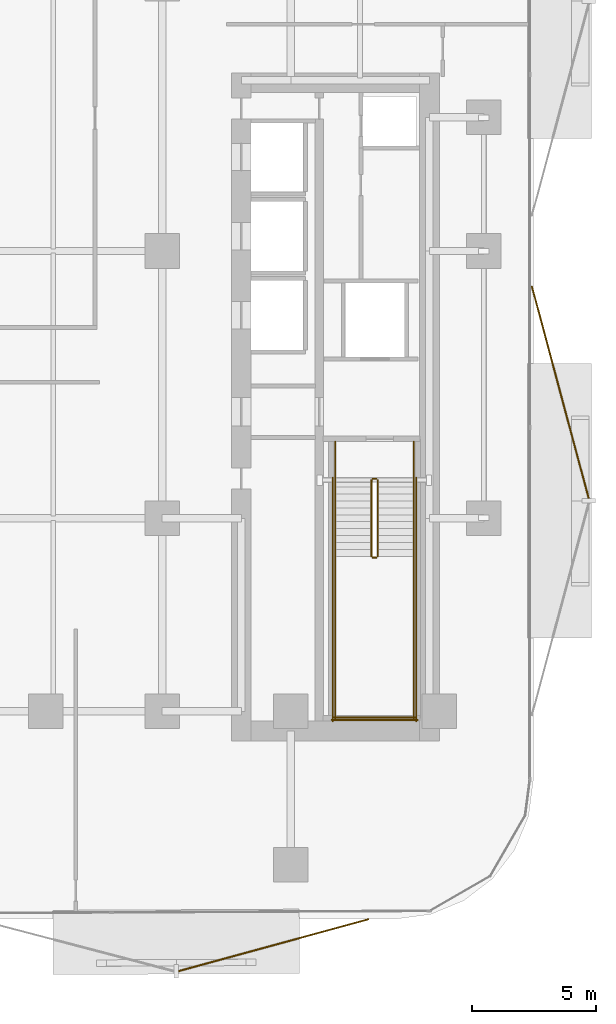
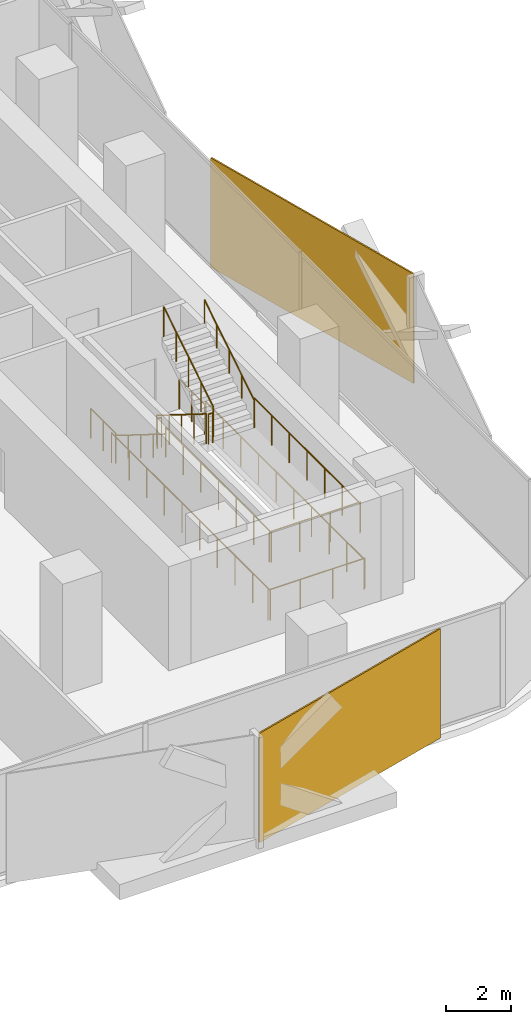
# One storey, part 13 of 15: 14 railings, 2 coverings.
"""IFC4 building model written with IfcOpenShell, lengths in metres."""

import ifcopenshell
import ifcopenshell.guid

model = None  # the IFC model being written
_history = None  # IfcOwnerHistory: only IFC2X3 demands one
_inside = {}  # id of a spatial element -> (the spatial element, [elements in it])
_under = {}  # id of a project, library or spatial element -> (it, [spatial elements below it])
_declared = {}  # id of a project -> (the project, [libraries it declares])
_typed = {}  # id of a type object -> (the type object, [elements of that type])
_made_of = {}  # id of a material, layer set ... -> (it, [elements and type objects made of it])


def new_model(schema):
    """Start an empty IFC model of exactly this schema.

    Asked for "IFC4X3", IfcOpenShell would pick the latest addendum, in which some entities
    have other attributes; the version numbers below select the first issue.
    IFC2X3 requires an IfcOwnerHistory on every rooted entity: one is made here for all.
    """
    global model, _history
    if schema == "IFC4X3":
        model = ifcopenshell.file(schema_version=(4, 3, 0, 0))
    else:
        model = ifcopenshell.file(schema=schema)
    _inside.clear()
    _under.clear()
    _declared.clear()
    _typed.clear()
    _made_of.clear()
    _history = None
    if model.schema == "IFC2X3":
        org = make("IfcOrganization", Name="unknown")
        user = make(
            "IfcPersonAndOrganization",
            ThePerson=make("IfcPerson", FamilyName="unknown"),
            TheOrganization=org,
        )
        app = make(
            "IfcApplication",
            ApplicationDeveloper=org,
            Version="unknown",
            ApplicationFullName="unknown",
            ApplicationIdentifier="unknown",
        )
        _history = make(
            "IfcOwnerHistory",
            OwningUser=user,
            OwningApplication=app,
            ChangeAction="ADDED",
            CreationDate=0,
        )
    return model


def make(cls, **values):
    """One entity of the class cls with the attributes given. An attribute that is None is left unset."""
    return model.create_entity(
        cls, **{name: value for name, value in values.items() if value is not None}
    )


def rooted(cls, **values):
    """An entity with a GlobalId (a new one), such as an element, a storey or a relation."""
    return make(cls, GlobalId=ifcopenshell.guid.new(), OwnerHistory=_history, **values)


def si_unit(unit_type, name, prefix=None):
    """IfcSIUnit, for example si_unit("LENGTHUNIT", "METRE", prefix="MILLI")."""
    return make("IfcSIUnit", UnitType=unit_type, Prefix=prefix, Name=name)


def assignment(units):
    """IfcUnitAssignment: the units of a project."""
    return None if units is None else make("IfcUnitAssignment", Units=units)


def point(xyz):
    """IfcCartesianPoint."""
    return None if xyz is None else make("IfcCartesianPoint", Coordinates=xyz)


def direction(xyz):
    """IfcDirection."""
    return None if xyz is None else make("IfcDirection", DirectionRatios=xyz)


def frame(location, z_axis=None, x_axis=None):
    """IfcAxis2Placement3D, a coordinate frame: its origin and axes. An axis left out is left unset."""
    return make(
        "IfcAxis2Placement3D",
        Location=point(location),
        Axis=direction(z_axis),
        RefDirection=direction(x_axis),
    )


def frame_2d(location, x_axis=None):
    """IfcAxis2Placement2D, a coordinate frame in the plane: its origin and x axis."""
    return make(
        "IfcAxis2Placement2D", Location=point(location), RefDirection=direction(x_axis)
    )


def origin():
    """The frame at (0, 0, 0) with its axes left unset."""
    return frame((0.0, 0.0, 0.0))


def origin_2d():
    """The frame at (0, 0) in the plane with its x axis left unset."""
    return frame_2d((0.0, 0.0))


def place(relative_to, where):
    """IfcLocalPlacement: puts the frame where relative to a parent placement (None: the world)."""
    return make(
        "IfcLocalPlacement", PlacementRelTo=relative_to, RelativePlacement=where
    )


def context(
    kind, dimensions, precision=None, world=None, true_north=None, identifier=None
):
    """IfcGeometricRepresentationContext, for example the 3D "Model" context."""
    return make(
        "IfcGeometricRepresentationContext",
        ContextIdentifier=identifier,
        ContextType=kind,
        CoordinateSpaceDimension=dimensions,
        Precision=precision,
        WorldCoordinateSystem=world,
        TrueNorth=true_north,
    )


def subcontext(parent, identifier, kind, view, scale=None):
    """IfcGeometricRepresentationSubContext, for example "Body" below "Model"."""
    return make(
        "IfcGeometricRepresentationSubContext",
        ContextIdentifier=identifier,
        ContextType=kind,
        ParentContext=parent,
        TargetScale=scale,
        TargetView=view,
    )


def project(units=None, contexts=None):
    """IfcProject with its units and contexts."""
    return rooted(
        "IfcProject",
        Name="project",
        RepresentationContexts=contexts,
        UnitsInContext=assignment(units),
    )


def spatial(cls, under=None, at=None, **own):
    """A site, building, storey or space (cls), placed at a placement, below another one or the project."""
    s = rooted(cls, ObjectPlacement=at, **own)
    if under is not None:
        _under.setdefault(under.id(), (under, []))[1].append(s)
    return s


def profile(cls, at=None, kind="AREA", **sizes):
    """A parametric profile (cls). Its sizes go by their IFC names, for example OverallWidth=200.0."""
    return make(cls, ProfileType=kind, Position=at, **sizes)


def rectangle(**sizes):
    """IfcRectangleProfileDef."""
    return profile("IfcRectangleProfileDef", **sizes)


def circle(**sizes):
    """IfcCircleProfileDef."""
    return profile("IfcCircleProfileDef", **sizes)


def extrude(swept, where, along, depth):
    """IfcExtrudedAreaSolid: the profile swept, set in the frame where, extruded along a direction by depth."""
    return make(
        "IfcExtrudedAreaSolid",
        SweptArea=swept,
        Position=where,
        ExtrudedDirection=direction(along),
        Depth=depth,
    )


def shape(context_of_items, identifier, shape_type, items):
    """IfcShapeRepresentation: the items that make up one representation, for example the "Body"."""
    return make(
        "IfcShapeRepresentation",
        ContextOfItems=context_of_items,
        RepresentationIdentifier=identifier,
        RepresentationType=shape_type,
        Items=items,
    )


def material(Name=None, Category=None):
    """IfcMaterial."""
    return make("IfcMaterial", Name=Name, Category=Category)


def layer(
    of_material, thickness, ventilated=None, Name=None, Category=None, Priority=None
):
    """IfcMaterialLayer: one layer of a wall or slab, of a material (None: an air gap)."""
    return make(
        "IfcMaterialLayer",
        Material=of_material,
        LayerThickness=thickness,
        IsVentilated=ventilated,
        Name=Name,
        Category=Category,
        Priority=Priority,
    )


def layer_set(layers, Name=None):
    """IfcMaterialLayerSet."""
    return make("IfcMaterialLayerSet", MaterialLayers=layers, LayerSetName=Name)


def made_of(thing, what):
    """Note that an element or type object is made of a material, layer set ...; save() writes the relation."""
    if what is not None:
        _made_of.setdefault(what.id(), (what, []))[1].append(thing)
    return thing


def type_object(cls, material=None, **own):
    """A type object (cls), such as IfcWallType, which elements share."""
    return made_of(rooted(cls, **own), material)


def element(
    cls,
    number,
    at=None,
    inside=None,
    cuts=None,
    type_object=None,
    material=None,
    context=None,
    identifier="Body",
    shape_type=None,
    held_by="IfcProductDefinitionShape",
    body=None,
    shapes=None,
    **own,
):
    """One element of the class cls, such as IfcWall. Its Tag is "e" and its number.

    at: its placement. inside: the storey or other place that contains it. cuts: it is an
    opening in that element (IfcRelVoidsElement). A single representation is given by context,
    identifier, shape_type and body (its items); several are given by shapes. held_by: the class
    of the entity that holds the representations. save() writes the other relations.
    """
    e = rooted(cls, Tag="e%d" % number, ObjectPlacement=at, **own)
    if body is not None:
        shapes = [shape(context, identifier, shape_type, body)]
    if shapes is not None:
        e.Representation = make(held_by, Representations=shapes)
    if inside is not None:
        _inside.setdefault(inside.id(), (inside, []))[1].append(e)
    if cuts is not None:
        rooted(
            "IfcRelVoidsElement", RelatingBuildingElement=cuts, RelatedOpeningElement=e
        )
    if type_object is not None:
        _typed.setdefault(type_object.id(), (type_object, []))[1].append(e)
    return made_of(e, material)


def aggregate(whole, parts):
    """IfcRelAggregates: a whole, such as a stair, and the parts it consists of."""
    return rooted("IfcRelAggregates", RelatingObject=whole, RelatedObjects=parts)


def save(model, path):
    """Write the relations noted so far, then the file.

    IfcRelAggregates (storeys below a building ...), IfcRelContainedInSpatialStructure (elements
    in a storey), IfcRelDefinesByType, IfcRelAssociatesMaterial and IfcRelDeclares: one each for
    every whole, place, type object, material and project.
    """
    for whole, parts in _under.values():
        aggregate(whole, parts)
    for where, things in _inside.values():
        rooted(
            "IfcRelContainedInSpatialStructure",
            RelatedElements=things,
            RelatingStructure=where,
        )
    for kind, things in _typed.values():
        rooted("IfcRelDefinesByType", RelatedObjects=things, RelatingType=kind)
    for what, things in _made_of.values():
        rooted("IfcRelAssociatesMaterial", RelatedObjects=things, RelatingMaterial=what)
    for by, libraries in _declared.values():
        rooted("IfcRelDeclares", RelatingContext=by, RelatedDefinitions=libraries)
    model.write(path)


model = new_model("IFC4")

# Units and contexts
model_context = context("Model", 3, precision=1e-05, world=origin(), true_north=direction((0.0, 1.0)))
body_context = subcontext(model_context, "Body", "Model", "MODEL_VIEW")
ifc_project = project(units=[si_unit("LENGTHUNIT", "METRE"), si_unit("AREAUNIT", "SQUARE_METRE"), si_unit("VOLUMEUNIT", "CUBIC_METRE"), si_unit("PLANEANGLEUNIT", "RADIAN"), si_unit("MASSUNIT", "GRAM", prefix="KILO")], contexts=[model_context])

# Site, building, storey
site_placement = place(None, origin())
site = spatial("IfcSite", under=ifc_project, at=site_placement, CompositionType="ELEMENT")
building_placement = place(site_placement, origin())
building = spatial("IfcBuilding", under=site, at=building_placement, Name="Khairoan Windgate Tower", CompositionType="ELEMENT")
storey_placement = place(building_placement, frame((0.0, 0.0, 30.199951171875)))
storey = spatial("IfcBuildingStorey", under=building, at=storey_placement, Name="L07", CompositionType="ELEMENT", Elevation=30.199951171875)

# Coverings
ifc_material_1 = material(Name="Anodised Bronze Aluminium 6063-T6", Category="aluminium")
ifc_layer = layer(ifc_material_1, 0.054931640625, Name="Anodised Bronze Aluminium 6063-T6")
ifc_layer_set = layer_set([ifc_layer], Name="Anodised Bronze Aluminium 6063-T6")
covering_type = type_object("IfcCoveringType", Name="Perforated Bronze-Ceramic Folded Solar Screen Cladding BSC-1", PredefinedType="CLADDING", material=ifc_layer_set)
covering_1_placement = place(storey_placement, frame((13.705322265625, -28.052734375, -0.10009765625), z_axis=(0.0, 0.0, 1.0), x_axis=(-0.964649468762, -0.263536339841, 0.0)))
element("IfcCovering", 1, at=covering_1_placement, inside=storey, type_object=covering_type, Name="L07 Folded Bronze Solar Screen Facet 9L", PredefinedType="CLADDING", context=body_context, shape_type="SweptSolid", body=[
    extrude(rectangle(XDim=7.965087890625, YDim=0.054931640625, at=origin_2d()), origin(), (0.0, 0.0, 1.0), 4.139892578125),
])
covering_2_placement = place(storey_placement, frame((25.290283203125, -5.71484375, -0.10009765625), z_axis=(0.0, 0.0, 1.0), x_axis=(0.258819045103, -0.965925826289, 0.0)))
element("IfcCovering", 2, at=covering_2_placement, inside=storey, type_object=covering_type, Name="L07 Folded Bronze Solar Screen Facet 16L", PredefinedType="CLADDING", context=body_context, shape_type="SweptSolid", body=[
    extrude(rectangle(XDim=8.884033203125, YDim=0.054931640625, at=origin_2d()), origin(), (0.0, 0.0, 1.0), 4.139892578125),
])

# Railings
ifc_material_2 = material(Name="Anodised Bronze Aluminium 6063-T6", Category="aluminium")
railing_type_1 = type_object("IfcRailingType", Name="Stair Wall Handrail SHR-900", PredefinedType="HANDRAIL", material=ifc_material_2)
railing_1_placement = place(storey_placement, frame((16.199951171875, -9.260009765625, 0.175048828125)))
element("IfcRailing", 3, at=railing_1_placement, inside=storey, type_object=railing_type_1, Name="L07 ST1 stair handrail 1", PredefinedType="HANDRAIL", context=body_context, shape_type="SweptSolid", body=[
    extrude(circle(Radius=0.02392578125, at=origin_2d()), frame((0.0, 0.0, 0.8759765625), z_axis=(0.0, -0.847998304005, 0.529998940003), x_axis=(1.0, 0.0, 0.0)), (0.0, 0.0, 1.0), 3.632080078125),
    extrude(circle(Radius=0.02099609375, at=origin_2d()), origin(), (0.0, 0.0, 1.0), 0.851806640625),
    extrude(circle(Radius=0.02099609375, at=origin_2d()), frame((0.0, -0.77001953125, 0.481201171875)), (0.0, 0.0, 1.0), 0.851806640625),
    extrude(circle(Radius=0.02099609375, at=origin_2d()), frame((0.0, -1.5400390625, 0.96240234375)), (0.0, 0.0, 1.0), 0.851806640625),
    extrude(circle(Radius=0.02099609375, at=origin_2d()), frame((0.0, -2.31005859375, 1.44384765625)), (0.0, 0.0, 1.0), 0.851806640625),
    extrude(circle(Radius=0.02099609375, at=origin_2d()), frame((0.0, -3.080078125, 1.925048828125)), (0.0, 0.0, 1.0), 0.851806640625),
])
railing_2_placement = place(storey_placement, frame((19.3701171875, -12.340087890625, 2.275146484375)))
element("IfcRailing", 4, at=railing_2_placement, inside=storey, type_object=railing_type_1, Name="L07 ST1 stair handrail 2", PredefinedType="HANDRAIL", context=body_context, shape_type="SweptSolid", body=[
    extrude(circle(Radius=0.02392578125, at=origin_2d()), frame((0.0, 0.0, 0.8759765625), z_axis=(0.0, 0.848028513186, 0.529950602248), x_axis=(-1.0, 0.0, 0.0)), (0.0, 0.0, 1.0), 3.632080078125),
    extrude(circle(Radius=0.02099609375, at=origin_2d()), origin(), (0.0, 0.0, 1.0), 0.851806640625),
    extrude(circle(Radius=0.02099609375, at=origin_2d()), frame((0.0, 0.77001953125, 0.481201171875)), (0.0, 0.0, 1.0), 0.851806640625),
    extrude(circle(Radius=0.02099609375, at=origin_2d()), frame((0.0, 1.5400390625, 0.96240234375)), (0.0, 0.0, 1.0), 0.851806640625),
    extrude(circle(Radius=0.02099609375, at=origin_2d()), frame((0.0, 2.31005859375, 1.443603515625)), (0.0, 0.0, 1.0), 0.851806640625),
    extrude(circle(Radius=0.02099609375, at=origin_2d()), frame((0.0, 3.080078125, 1.9248046875)), (0.0, 0.0, 1.0), 0.851806640625),
])
ifc_material_3 = material(Name="Steel S355", Category="steel")
railing_type_2 = type_object("IfcRailingType", Name="Stairwell Safety Guardrail SGR-1150", PredefinedType="GUARDRAIL", material=ifc_material_3)
railing_3_placement = place(storey_placement, frame((17.659912109375, -9.260009765625, 0.175048828125)))
element("IfcRailing", 5, at=railing_3_placement, inside=storey, type_object=railing_type_2, Name="L07 ST1 stair guard 1", PredefinedType="GUARDRAIL", context=body_context, shape_type="SweptSolid", body=[
    extrude(circle(Radius=0.02392578125, at=origin_2d()), frame((0.0, 0.0, 1.1259765625), z_axis=(0.0, -0.847998304005, 0.529998940003), x_axis=(1.0, 0.0, 0.0)), (0.0, 0.0, 1.0), 3.632080078125),
    extrude(circle(Radius=0.02099609375, at=origin_2d()), origin(), (0.0, 0.0, 1.0), 1.101806640625),
    extrude(circle(Radius=0.02099609375, at=origin_2d()), frame((0.0, -0.77001953125, 0.481201171875)), (0.0, 0.0, 1.0), 1.101806640625),
    extrude(circle(Radius=0.02099609375, at=origin_2d()), frame((0.0, -1.5400390625, 0.96240234375)), (0.0, 0.0, 1.0), 1.101806640625),
    extrude(circle(Radius=0.02099609375, at=origin_2d()), frame((0.0, -2.31005859375, 1.44384765625)), (0.0, 0.0, 1.0), 1.101806640625),
    extrude(circle(Radius=0.02099609375, at=origin_2d()), frame((0.0, -3.080078125, 1.925048828125)), (0.0, 0.0, 1.0), 1.101806640625),
])
railing_4_placement = place(storey_placement, frame((17.7099609375, -12.389892578125, 2.10009765625)))
element("IfcRailing", 6, at=railing_4_placement, inside=storey, type_object=railing_type_2, Name="L07 ST1 stair guard 2", PredefinedType="GUARDRAIL", context=body_context, shape_type="SweptSolid", body=[
    extrude(circle(Radius=0.02392578125, at=origin_2d()), frame((0.0, 0.0, 1.1259765625), z_axis=(1.0, 0.0, 0.0), x_axis=(0.0, 1.0, 0.0)), (0.0, 0.0, 1.0), 0.150146484375),
    extrude(circle(Radius=0.02099609375, at=origin_2d()), origin(), (0.0, 0.0, 1.0), 1.101806640625),
    extrude(circle(Radius=0.02099609375, at=origin_2d()), frame((0.150146484375, 0.0, 0.0)), (0.0, 0.0, 1.0), 1.101806640625),
])
for number, where, name in (
    (7, (16.199951171875, -12.340087890625, 2.10009765625), "L07 ST1 stair guard 3"),
    (8, (19.3701171875, -12.340087890625, 2.10009765625), "L07 ST1 stair guard 4"),
):
    element("IfcRailing", number, at=place(storey_placement, frame(where)), inside=storey, type_object=railing_type_2, Name=name, PredefinedType="GUARDRAIL", context=body_context, shape_type="SweptSolid", body=[
        extrude(circle(Radius=0.02392578125, at=origin_2d()), frame((0.0, 0.0, 1.1259765625), z_axis=(0.0, -1.0, 0.0), x_axis=(1.0, 0.0, 0.0)), (0.0, 0.0, 1.0), 6.559814453125),
        extrude(circle(Radius=0.02099609375, at=origin_2d()), origin(), (0.0, 0.0, 1.0), 1.101806640625),
        extrude(circle(Radius=0.02099609375, at=origin_2d()), frame((0.0, -1.09326171875, 0.0)), (0.0, 0.0, 1.0), 1.101806640625),
        extrude(circle(Radius=0.02099609375, at=origin_2d()), frame((0.0, -2.1865234375, 0.0)), (0.0, 0.0, 1.0), 1.101806640625),
        extrude(circle(Radius=0.02099609375, at=origin_2d()), frame((0.0, -3.27978515625, 0.0)), (0.0, 0.0, 1.0), 1.101806640625),
        extrude(circle(Radius=0.02099609375, at=origin_2d()), frame((0.0, -4.373291015625, 0.0)), (0.0, 0.0, 1.0), 1.101806640625),
        extrude(circle(Radius=0.02099609375, at=origin_2d()), frame((0.0, -5.466552734375, 0.0)), (0.0, 0.0, 1.0), 1.101806640625),
        extrude(circle(Radius=0.02099609375, at=origin_2d()), frame((0.0, -6.559814453125, 0.0)), (0.0, 0.0, 1.0), 1.101806640625),
    ])
railing_5_placement = place(storey_placement, frame((16.14990234375, -18.85009765625, 2.10009765625)))
element("IfcRailing", 9, at=railing_5_placement, inside=storey, type_object=railing_type_2, Name="L07 ST1 stair guard 5", PredefinedType="GUARDRAIL", context=body_context, shape_type="SweptSolid", body=[
    extrude(circle(Radius=0.02392578125, at=origin_2d()), frame((0.0, 0.0, 1.1259765625), z_axis=(1.0, 0.0, 0.0), x_axis=(0.0, 1.0, 0.0)), (0.0, 0.0, 1.0), 3.27001953125),
    extrude(circle(Radius=0.02099609375, at=origin_2d()), origin(), (0.0, 0.0, 1.0), 1.101806640625),
    extrude(circle(Radius=0.02099609375, at=origin_2d()), frame((1.090087890625, 0.0, 0.0)), (0.0, 0.0, 1.0), 1.101806640625),
    extrude(circle(Radius=0.02099609375, at=origin_2d()), frame((2.179931640625, 0.0, 0.0)), (0.0, 0.0, 1.0), 1.101806640625),
    extrude(circle(Radius=0.02099609375, at=origin_2d()), frame((3.27001953125, 0.0, 0.0)), (0.0, 0.0, 1.0), 1.101806640625),
])
railing_6_placement = place(storey_placement, frame((17.909912109375, -12.340087890625, 2.275146484375)))
element("IfcRailing", 10, at=railing_6_placement, inside=storey, type_object=railing_type_2, Name="L07 ST1 stair guard 6", PredefinedType="GUARDRAIL", context=body_context, shape_type="SweptSolid", body=[
    extrude(circle(Radius=0.02392578125, at=origin_2d()), frame((0.0, 0.0, 1.1259765625), z_axis=(0.0, 0.848028513186, 0.529950602248), x_axis=(-1.0, 0.0, 0.0)), (0.0, 0.0, 1.0), 3.632080078125),
    extrude(circle(Radius=0.02099609375, at=origin_2d()), origin(), (0.0, 0.0, 1.0), 1.101806640625),
    extrude(circle(Radius=0.02099609375, at=origin_2d()), frame((0.0, 0.77001953125, 0.481201171875)), (0.0, 0.0, 1.0), 1.101806640625),
    extrude(circle(Radius=0.02099609375, at=origin_2d()), frame((0.0, 1.5400390625, 0.96240234375)), (0.0, 0.0, 1.0), 1.101806640625),
    extrude(circle(Radius=0.02099609375, at=origin_2d()), frame((0.0, 2.31005859375, 1.443603515625)), (0.0, 0.0, 1.0), 1.101806640625),
    extrude(circle(Radius=0.02099609375, at=origin_2d()), frame((0.0, 3.080078125, 1.9248046875)), (0.0, 0.0, 1.0), 1.101806640625),
])
railing_7_placement = place(storey_placement, frame((17.7099609375, -9.2099609375, 0.0)))
element("IfcRailing", 11, at=railing_7_placement, inside=storey, type_object=railing_type_2, Name="L07 ST1 stair guard 7", PredefinedType="GUARDRAIL", context=body_context, shape_type="SweptSolid", body=[
    extrude(circle(Radius=0.02392578125, at=origin_2d()), frame((0.0, 0.0, 1.1259765625), z_axis=(1.0, 0.0, 0.0), x_axis=(0.0, 1.0, 0.0)), (0.0, 0.0, 1.0), 0.150146484375),
    extrude(circle(Radius=0.02099609375, at=origin_2d()), origin(), (0.0, 0.0, 1.0), 1.101806640625),
    extrude(circle(Radius=0.02099609375, at=origin_2d()), frame((0.150146484375, 0.0, 0.0)), (0.0, 0.0, 1.0), 1.101806640625),
])
for number, where, name in (
    (12, (16.199951171875, -7.699951171875, 0.0), "L07 ST1 stair guard 8"),
    (13, (19.3701171875, -7.699951171875, 0.0), "L07 ST1 stair guard 9"),
):
    element("IfcRailing", number, at=place(storey_placement, frame(where)), inside=storey, type_object=railing_type_2, Name=name, PredefinedType="GUARDRAIL", context=body_context, shape_type="SweptSolid", body=[
        extrude(circle(Radius=0.02392578125, at=origin_2d()), frame((0.0, 0.0, 1.1259765625), z_axis=(0.0, -1.0, 0.0), x_axis=(1.0, 0.0, 0.0)), (0.0, 0.0, 1.0), 1.56005859375),
        extrude(circle(Radius=0.02099609375, at=origin_2d()), origin(), (0.0, 0.0, 1.0), 1.101806640625),
        extrude(circle(Radius=0.02099609375, at=origin_2d()), frame((0.0, -0.780029296875, 0.0)), (0.0, 0.0, 1.0), 1.101806640625),
        extrude(circle(Radius=0.02099609375, at=origin_2d()), frame((0.0, -1.56005859375, 0.0)), (0.0, 0.0, 1.0), 1.101806640625),
    ])
for number, where, name in (
    (14, (16.10009765625, -9.159912109375, 0.0), "L07 ST1 stair guard 10"),
    (15, (19.469970703125, -9.159912109375, 0.0), "L07 ST1 stair guard 11"),
):
    element("IfcRailing", number, at=place(storey_placement, frame(where)), inside=storey, type_object=railing_type_2, Name=name, PredefinedType="GUARDRAIL", context=body_context, shape_type="SweptSolid", body=[
        extrude(circle(Radius=0.02392578125, at=origin_2d()), frame((0.0, 0.0, 1.1259765625), z_axis=(0.0, -1.0, 0.0), x_axis=(1.0, 0.0, 0.0)), (0.0, 0.0, 1.0), 9.840087890625),
        extrude(circle(Radius=0.02099609375, at=origin_2d()), origin(), (0.0, 0.0, 1.0), 1.101806640625),
        extrude(circle(Radius=0.02099609375, at=origin_2d()), frame((0.0, -1.09326171875, 0.0)), (0.0, 0.0, 1.0), 1.101806640625),
        extrude(circle(Radius=0.02099609375, at=origin_2d()), frame((0.0, -2.186767578125, 0.0)), (0.0, 0.0, 1.0), 1.101806640625),
        extrude(circle(Radius=0.02099609375, at=origin_2d()), frame((0.0, -3.280029296875, 0.0)), (0.0, 0.0, 1.0), 1.101806640625),
        extrude(circle(Radius=0.02099609375, at=origin_2d()), frame((0.0, -4.373291015625, 0.0)), (0.0, 0.0, 1.0), 1.101806640625),
        extrude(circle(Radius=0.02099609375, at=origin_2d()), frame((0.0, -5.466796875, 0.0)), (0.0, 0.0, 1.0), 1.101806640625),
        extrude(circle(Radius=0.02099609375, at=origin_2d()), frame((0.0, -6.56005859375, 0.0)), (0.0, 0.0, 1.0), 1.101806640625),
        extrude(circle(Radius=0.02099609375, at=origin_2d()), frame((0.0, -7.6533203125, 0.0)), (0.0, 0.0, 1.0), 1.101806640625),
        extrude(circle(Radius=0.02099609375, at=origin_2d()), frame((0.0, -8.746826171875, 0.0)), (0.0, 0.0, 1.0), 1.101806640625),
        extrude(circle(Radius=0.02099609375, at=origin_2d()), frame((0.0, -9.840087890625, 0.0)), (0.0, 0.0, 1.0), 1.101806640625),
    ])
railing_8_placement = place(storey_placement, frame((16.050048828125, -18.949951171875, 0.0)))
element("IfcRailing", 16, at=railing_8_placement, inside=storey, type_object=railing_type_2, Name="L07 ST1 stair guard 12", PredefinedType="GUARDRAIL", context=body_context, shape_type="SweptSolid", body=[
    extrude(circle(Radius=0.02392578125, at=origin_2d()), frame((0.0, 0.0, 1.1259765625), z_axis=(1.0, 0.0, 0.0), x_axis=(0.0, 1.0, 0.0)), (0.0, 0.0, 1.0), 3.469970703125),
    extrude(circle(Radius=0.02099609375, at=origin_2d()), origin(), (0.0, 0.0, 1.0), 1.101806640625),
    extrude(circle(Radius=0.02099609375, at=origin_2d()), frame((1.15673828125, 0.0, 0.0)), (0.0, 0.0, 1.0), 1.101806640625),
    extrude(circle(Radius=0.02099609375, at=origin_2d()), frame((2.313232421875, 0.0, 0.0)), (0.0, 0.0, 1.0), 1.101806640625),
    extrude(circle(Radius=0.02099609375, at=origin_2d()), frame((3.469970703125, 0.0, 0.0)), (0.0, 0.0, 1.0), 1.101806640625),
])

save(model, "model.ifc")
